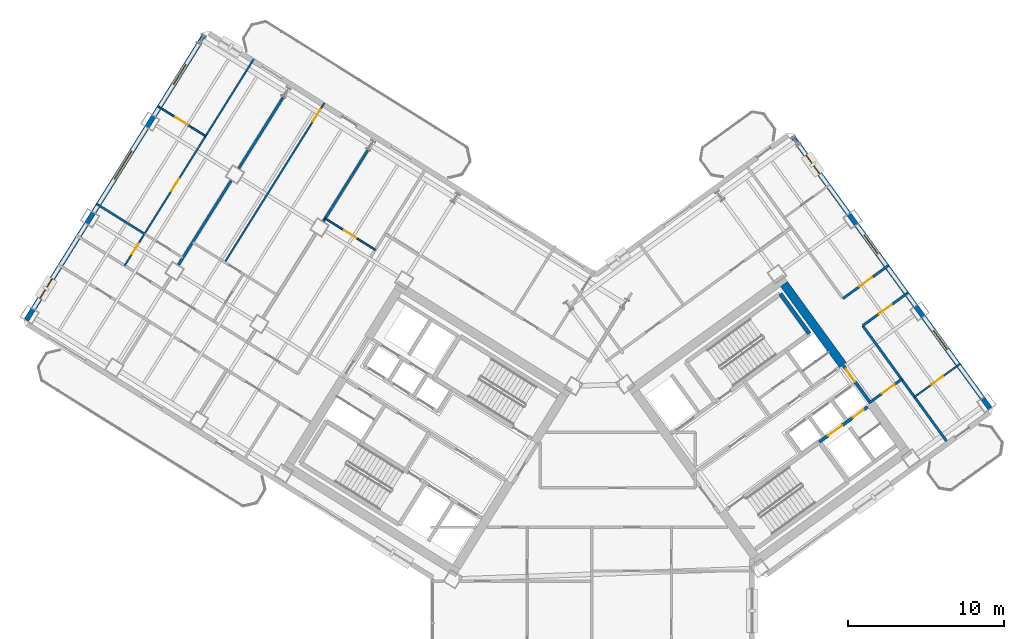
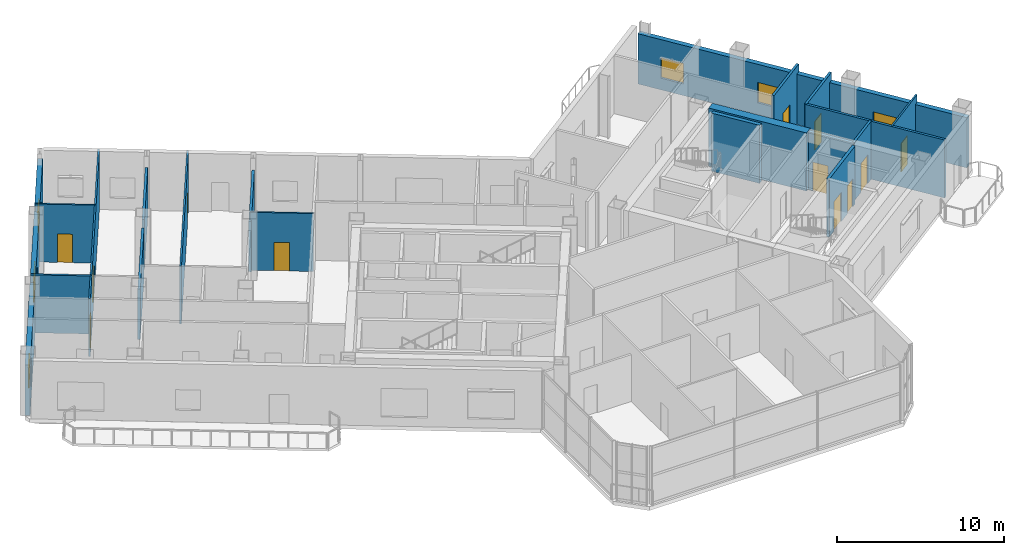
# One storey, part 15 of 21: 19 walls, 12 doors, 6 windows, 18 openings.
"""IFC4 building model written with IfcOpenShell, lengths in metres."""

from ifc_helpers import new_model, si_unit, direction, frame, frame_2d, origin, place, context, subcontext, project, spatial, rectangle, extrude, source, transform, mapped, material, layer, layer_set, type_object, element, fill, save


model = new_model("IFC4")

# Units and contexts
model_context = context("Model", 3, precision=1e-05, world=origin(), true_north=direction((0.0, 1.0)))
body_context = subcontext(model_context, "Body", "Model", "MODEL_VIEW")
ifc_project = project(units=[si_unit("LENGTHUNIT", "METRE"), si_unit("AREAUNIT", "SQUARE_METRE"), si_unit("VOLUMEUNIT", "CUBIC_METRE"), si_unit("PLANEANGLEUNIT", "RADIAN"), si_unit("MASSUNIT", "GRAM", prefix="KILO")], contexts=[model_context])

# Site, building, storey
site_placement = place(None, origin())
site = spatial("IfcSite", under=ifc_project, at=site_placement, CompositionType="ELEMENT")
building_placement = place(site_placement, origin())
building = spatial("IfcBuilding", under=site, at=building_placement, Name="Tlacorven Tower", CompositionType="ELEMENT")
storey_placement = place(building_placement, frame((0.0, 0.0, 100.800048828125)))
storey = spatial("IfcBuildingStorey", under=building, at=storey_placement, Name="L25", CompositionType="ELEMENT", Elevation=100.800048828125)

# Walls
ifc_material_1 = material(Name="Concrete C60/75", Category="concrete")
ifc_layer_1 = layer(ifc_material_1, 0.550048828125)
ifc_layer_set_1 = layer_set([ifc_layer_1], Name="Concrete C60/75")
wall_type_1 = type_object("IfcWallType", Name="WL-COR-550", PredefinedType="SHEAR", material=ifc_layer_set_1)
wall_1_placement = place(storey_placement, frame((58.06396484375, 25.8134765625, 0.0), z_axis=(0.0, 0.0, 1.0), x_axis=(-0.587764933797, 0.809031756236, 0.0)))
element("IfcWall", 1, at=wall_1_placement, inside=storey, type_object=wall_type_1, Name="L25 E core end wall E2.2", PredefinedType="SHEAR", context=body_context, shape_type="SweptSolid", body=[
    extrude(rectangle(XDim=6.425048828125, YDim=0.550048828125, at=frame_2d((3.21240234375, 0.0))), origin(), (0.0, 0.0, 1.0), 4.25),
])
ifc_material_2 = material(Name="Gypsum plasterboard acoustic partition", Category="gypsum")
ifc_layer_2 = layer(ifc_material_2, 0.159912109375)
ifc_layer_set_2 = layer_set([ifc_layer_2], Name="Gypsum plasterboard acoustic partition")
wall_type_2 = type_object("IfcWallType", Name="WL-DEM-160", PredefinedType="PARTITIONING", material=ifc_layer_set_2)
for number, where, z_axis, x_axis, name in (
    (2, (27.607421875, 39.614990234375, 0.0), (0.0, 0.0, 1.0), (-0.529913610495, -0.848051628978, 0.0), "L25 WS Demising Wall 1"),
    (3, (22.179931640625, 43.00634765625, 0.0), (0.0, 0.0, 1.0), (-0.529913610495, -0.848051628978, 0.0), "L25 WS Demising Wall 2"),
):
    element("IfcWall", number, at=place(storey_placement, frame(where, z_axis=z_axis, x_axis=x_axis)), inside=storey, type_object=wall_type_2, Name=name, PredefinedType="PARTITIONING", context=body_context, shape_type="SweptSolid", body=[
        extrude(rectangle(XDim=5.40087890625, YDim=0.159912109375, at=frame_2d((2.700439453125, 0.0))), origin(), (0.0, 0.0, 1.0), 3.675048828125),
    ])
wall_2_placement = place(storey_placement, frame((18.828125, 37.642578125, 0.0), z_axis=(0.0, 0.0, 1.0), x_axis=(-0.529930102756, -0.848041323399, 0.0)))
element("IfcWall", 4, at=wall_2_placement, inside=storey, type_object=wall_type_2, Name="L25 WS Demising Wall 2", PredefinedType="PARTITIONING", context=body_context, shape_type="SweptSolid", body=[
    extrude(rectangle(XDim=6.376220703125, YDim=0.159912109375, at=frame_2d((3.18798828125, 0.0))), origin(), (0.0, 0.0, 1.0), 3.675048828125),
])

# Wall, opening, door
wall_3_placement = place(storey_placement, frame((59.7978515625, 23.427001953125, 0.0), z_axis=(0.0, 0.0, 1.0), x_axis=(0.809034604122, 0.587761013791, 0.0)))
wall_3 = element("IfcWall", 5, at=wall_3_placement, inside=storey, type_object=wall_type_2, Name="L25 partition 89", PredefinedType="PARTITIONING", context=body_context, shape_type="SweptSolid", body=[
    extrude(rectangle(XDim=2.510009765625, YDim=0.159912109375, at=frame_2d((1.2548828125, 0.0))), origin(), (0.0, 0.0, 1.0), 4.239990234375),
])
opening_1_placement = place(wall_3_placement, frame((0.949951171875, 0.0, 0.0)))
opening_1 = element("IfcOpeningElement", 6, at=opening_1_placement, cuts=wall_3, Name="Opening D11", PredefinedType="OPENING", context=body_context, shape_type="SweptSolid", body=[
    extrude(rectangle(XDim=1.0, YDim=2.10009765625, at=frame_2d((0.5, 1.050048828125))), frame((0.0, 0.08984375, 0.0), z_axis=(0.0, -1.0, 0.0), x_axis=(1.0, 0.0, 0.0)), (0.0, 0.0, 1.0), 0.179931640625),
])
ifc_material_3 = material(Name="Fire-rated steel door assembly", Category="steel")
door_type_1 = type_object("IfcDoorType", Name="DR-FLT-FD60-1000", OperationType="NOTDEFINED", PredefinedType="DOOR", material=ifc_material_3)
shared_shape_1 = source(origin(), body_context, "Body", "SweptSolid", [
    extrude(rectangle(XDim=1.0, YDim=2.10009765625, at=frame_2d((0.5, 1.050048828125))), frame((0.0, 0.02490234375, 0.0), z_axis=(0.0, -1.0, 0.0), x_axis=(1.0, 0.0, 0.0)), (0.0, 0.0, 1.0), 0.050048828125),
])
door_1_placement = place(opening_1_placement, frame((1.0, 0.0, 0.0), z_axis=(0.0, 0.0, 1.0), x_axis=(-1.0, 0.0, 0.0)))
door_1 = element("IfcDoor", 7, at=door_1_placement, inside=storey, type_object=door_type_1, Name="L25 door 058", OperationType="SINGLE_SWING_RIGHT", OverallHeight=2.10009765625, OverallWidth=1.0, PredefinedType="DOOR", context=body_context, shape_type="MappedRepresentation", body=[
    mapped(shared_shape_1, transform((0.0, 0.0, 0.0), scale=1.0)),
])
fill(opening_1, door_1)

# Wall
wall_4_placement = place(storey_placement, frame((64.708740234375, 20.93798828125, 0.0), z_axis=(0.0, 0.0, 1.0), x_axis=(-0.587776590479, 0.80902328748, 0.0)))
element("IfcWall", 8, at=wall_4_placement, inside=storey, type_object=wall_type_2, Name="L25 partition 91", PredefinedType="PARTITIONING", context=body_context, shape_type="SweptSolid", body=[
    extrude(rectangle(XDim=9.150146484375, YDim=0.159912109375, at=frame_2d((4.5751953125, 0.0))), origin(), (0.0, 0.0, 1.0), 4.239990234375),
])

# Wall, opening, door
wall_5_placement = place(storey_placement, frame((59.33056640625, 28.340576171875, 0.0), z_axis=(0.0, 0.0, 1.0), x_axis=(0.809003564202, 0.587803736896, 0.0)))
wall_5 = element("IfcWall", 9, at=wall_5_placement, inside=storey, type_object=wall_type_2, Name="L25 partition 94", PredefinedType="PARTITIONING", context=body_context, shape_type="SweptSolid", body=[
    extrude(rectangle(XDim=3.630126953125, YDim=0.159912109375, at=frame_2d((1.81494140625, 0.0))), origin(), (0.0, 0.0, 1.0), 4.239990234375),
])
opening_2_placement = place(wall_5_placement, frame((1.304931640625, 0.0, 0.0)))
opening_2 = element("IfcOpeningElement", 10, at=opening_2_placement, cuts=wall_5, Name="Opening D11", PredefinedType="OPENING", context=body_context, shape_type="SweptSolid", body=[
    extrude(rectangle(XDim=1.0, YDim=2.10009765625, at=frame_2d((0.5, 1.050048828125))), frame((0.0, 0.08984375, 0.0), z_axis=(0.0, -1.0, 0.0), x_axis=(1.0, 0.0, 0.0)), (0.0, 0.0, 1.0), 0.179931640625),
])
door_2_placement = place(opening_2_placement, origin())
door_2 = element("IfcDoor", 11, at=door_2_placement, inside=storey, type_object=door_type_1, Name="L25 door 062", OperationType="SINGLE_SWING_RIGHT", OverallHeight=2.10009765625, OverallWidth=1.0, PredefinedType="DOOR", context=body_context, shape_type="MappedRepresentation", body=[
    mapped(shared_shape_1, transform((0.0, 0.0, 0.0), scale=1.0)),
])
fill(opening_2, door_2)

wall_6_placement = place(storey_placement, frame((58.06689453125, 30.080078125, 0.0), z_axis=(0.0, 0.0, 1.0), x_axis=(0.809012309495, 0.587791700422, 0.0)))
wall_6 = element("IfcWall", 12, at=wall_6_placement, inside=storey, type_object=wall_type_2, Name="L25 partition 95", PredefinedType="PARTITIONING", context=body_context, shape_type="SweptSolid", body=[
    extrude(rectangle(XDim=3.6298828125, YDim=0.159912109375, at=frame_2d((1.81494140625, 0.0))), origin(), (0.0, 0.0, 1.0), 4.239990234375),
])
opening_3_placement = place(wall_6_placement, frame((1.304931640625, 0.0, 0.0)))
opening_3 = element("IfcOpeningElement", 13, at=opening_3_placement, cuts=wall_6, Name="Opening D11", PredefinedType="OPENING", context=body_context, shape_type="SweptSolid", body=[
    extrude(rectangle(XDim=1.0, YDim=2.10009765625, at=frame_2d((0.5, 1.050048828125))), frame((0.0, 0.08984375, 0.0), z_axis=(0.0, -1.0, 0.0), x_axis=(1.0, 0.0, 0.0)), (0.0, 0.0, 1.0), 0.179931640625),
])
door_3_placement = place(opening_3_placement, origin())
door_3 = element("IfcDoor", 14, at=door_3_placement, inside=storey, type_object=door_type_1, Name="L25 door 060", OperationType="SINGLE_SWING_RIGHT", OverallHeight=2.10009765625, OverallWidth=1.0, PredefinedType="DOOR", context=body_context, shape_type="MappedRepresentation", body=[
    mapped(shared_shape_1, transform((0.0, 0.0, 0.0), scale=1.0)),
])
fill(opening_3, door_3)

# Wall, openings, windows
ifc_material_4 = material(Name="Precast concrete C45/55", Category="concrete")
ifc_layer_3 = layer(ifc_material_4, 0.320068359375)
ifc_layer_set_3 = layer_set([ifc_layer_3], Name="Precast concrete C45/55")
wall_type_3 = type_object("IfcWallType", Name="WL-EXT-320", PredefinedType="STANDARD", material=ifc_layer_set_3)
wall_7_placement = place(storey_placement, frame((5.699951171875, 28.71044921875, 0.0), z_axis=(0.0, 0.0, 1.0), x_axis=(0.529923711467, 0.8480453172, 0.0)))
wall_7 = element("IfcWall", 15, at=wall_7_placement, inside=storey, type_object=wall_type_3, Name="L25 Masonry-Frame Recessed Facade Wall 2", PredefinedType="STANDARD", context=body_context, shape_type="SweptSolid", body=[
    extrude(rectangle(XDim=21.58740234375, YDim=0.320068359375, at=frame_2d((10.793701171875, 0.0))), origin(), (0.0, 0.0, 1.0), 3.675048828125),
])
opening_4_placement = place(wall_7_placement, frame((1.628662109375, 0.0, 0.85009765625)))
opening_4 = element("IfcOpeningElement", 16, at=opening_4_placement, cuts=wall_7, Name="Opening WN02", PredefinedType="OPENING", context=body_context, shape_type="SweptSolid", body=[
    extrude(rectangle(XDim=1.5, YDim=1.5, at=frame_2d((0.75, 0.75))), frame((0.0, 0.169921875, 0.0), z_axis=(0.0, -1.0, 0.0), x_axis=(1.0, 0.0, 0.0)), (0.0, 0.0, 1.0), 0.340087890625),
])
opening_5_placement = place(wall_7_placement, frame((10.65380859375, 0.0, 0.800048828125)))
opening_5 = element("IfcOpeningElement", 17, at=opening_5_placement, cuts=wall_7, Name="Opening WN04", PredefinedType="OPENING", context=body_context, shape_type="SweptSolid", body=[
    extrude(rectangle(XDim=2.10009765625, YDim=1.550048828125, at=frame_2d((1.050048828125, 0.77490234375))), frame((0.0, 0.169921875, 0.0), z_axis=(0.0, -1.0, 0.0), x_axis=(1.0, 0.0, 0.0)), (0.0, 0.0, 1.0), 0.340087890625),
])
opening_6_placement = place(wall_7_placement, frame((17.80322265625, 0.0, 0.85009765625)))
opening_6 = element("IfcOpeningElement", 18, at=opening_6_placement, cuts=wall_7, Name="Opening WN02", PredefinedType="OPENING", context=body_context, shape_type="SweptSolid", body=[
    extrude(rectangle(XDim=1.5, YDim=1.5, at=frame_2d((0.75, 0.75))), frame((0.0, 0.169921875, 0.0), z_axis=(0.0, -1.0, 0.0), x_axis=(1.0, 0.0, 0.0)), (0.0, 0.0, 1.0), 0.340087890625),
])
ifc_material_5 = material(Name="Dark solar low-E double glazing in anodised aluminium frame", Category="aluminium")
window_type_1 = type_object("IfcWindowType", Name="WN-APT-2100X1750", PartitioningType="SINGLE_PANEL", PredefinedType="WINDOW", material=ifc_material_5)
shared_shape_2 = source(origin(), body_context, "Body", "SweptSolid", [
    extrude(rectangle(XDim=2.10009765625, YDim=1.550048828125, at=frame_2d((1.050048828125, 0.77490234375))), frame((0.0, 0.030029296875, 0.0), z_axis=(0.0, -1.0, 0.0), x_axis=(1.0, 0.0, 0.0)), (0.0, 0.0, 1.0), 0.06005859375),
])
window_1_placement = place(opening_5_placement, origin())
window_1 = element("IfcWindow", 19, at=window_1_placement, inside=storey, type_object=window_type_1, Name="L25 Recessed Masonry-Frame Window L25-02.2", OverallHeight=1.550048828125, OverallWidth=2.10009765625, PartitioningType="SINGLE_PANEL", PredefinedType="WINDOW", context=body_context, shape_type="MappedRepresentation", body=[
    mapped(shared_shape_2, transform((0.0, 0.0, 0.0), scale=1.0)),
])
fill(opening_5, window_1)
window_type_2 = type_object("IfcWindowType", Name="WN-APT-1500X1650", PartitioningType="SINGLE_PANEL", PredefinedType="WINDOW", material=ifc_material_5)
shared_shape_3 = source(origin(), body_context, "Body", "SweptSolid", [
    extrude(rectangle(XDim=1.5, YDim=1.5, at=frame_2d((0.75, 0.75))), frame((0.0, 0.030029296875, 0.0), z_axis=(0.0, -1.0, 0.0), x_axis=(1.0, 0.0, 0.0)), (0.0, 0.0, 1.0), 0.06005859375),
])
window_2_placement = place(opening_4_placement, origin())
window_2 = element("IfcWindow", 20, at=window_2_placement, inside=storey, type_object=window_type_2, Name="L25 Recessed Masonry-Frame Window L25-02.1", OverallHeight=1.5, OverallWidth=1.5, PartitioningType="SINGLE_PANEL", PredefinedType="WINDOW", context=body_context, shape_type="MappedRepresentation", body=[
    mapped(shared_shape_3, transform((0.0, 0.0, 0.0), scale=1.0)),
])
fill(opening_4, window_2)
window_3_placement = place(opening_6_placement, origin())
window_3 = element("IfcWindow", 21, at=window_3_placement, inside=storey, type_object=window_type_2, Name="L25 Recessed Masonry-Frame Window L25-02.3", OverallHeight=1.5, OverallWidth=1.5, PartitioningType="SINGLE_PANEL", PredefinedType="WINDOW", context=body_context, shape_type="MappedRepresentation", body=[
    mapped(shared_shape_3, transform((0.0, 0.0, 0.0), scale=1.0)),
])
fill(opening_6, window_3)

wall_8_placement = place(storey_placement, frame((54.810302734375, 40.49951171875, 0.0), z_axis=(0.0, 0.0, 1.0), x_axis=(0.587783625747, -0.809018176127, 0.0)))
wall_8 = element("IfcWall", 22, at=wall_8_placement, inside=storey, type_object=wall_type_3, Name="L25 Masonry-Frame Recessed Facade Wall 5", PredefinedType="STANDARD", context=body_context, shape_type="SweptSolid", body=[
    extrude(rectangle(XDim=21.58740234375, YDim=0.320068359375, at=frame_2d((10.793701171875, 0.0))), origin(), (0.0, 0.0, 1.0), 3.675048828125),
])
opening_7_placement = place(wall_8_placement, frame((1.502685546875, 0.0, 0.85009765625)))
opening_7 = element("IfcOpeningElement", 23, at=opening_7_placement, cuts=wall_8, Name="Opening WN02", PredefinedType="OPENING", context=body_context, shape_type="SweptSolid", body=[
    extrude(rectangle(XDim=1.5, YDim=1.5, at=frame_2d((0.75, 0.75))), frame((0.0, 0.169921875, 0.0), z_axis=(0.0, -1.0, 0.0), x_axis=(1.0, 0.0, 0.0)), (0.0, 0.0, 1.0), 0.340087890625),
])
opening_8_placement = place(wall_8_placement, frame((7.853759765625, 0.0, 0.85009765625)))
opening_8 = element("IfcOpeningElement", 24, at=opening_8_placement, cuts=wall_8, Name="Opening WN02", PredefinedType="OPENING", context=body_context, shape_type="SweptSolid", body=[
    extrude(rectangle(XDim=1.5, YDim=1.5, at=frame_2d((0.75, 0.75))), frame((0.0, 0.169921875, 0.0), z_axis=(0.0, -1.0, 0.0), x_axis=(1.0, 0.0, 0.0)), (0.0, 0.0, 1.0), 0.340087890625),
])
opening_9_placement = place(wall_8_placement, frame((15.417236328125, 0.0, 0.85009765625)))
opening_9 = element("IfcOpeningElement", 25, at=opening_9_placement, cuts=wall_8, Name="Opening WN02", PredefinedType="OPENING", context=body_context, shape_type="SweptSolid", body=[
    extrude(rectangle(XDim=1.5, YDim=1.5, at=frame_2d((0.75, 0.75))), frame((0.0, 0.169921875, 0.0), z_axis=(0.0, -1.0, 0.0), x_axis=(1.0, 0.0, 0.0)), (0.0, 0.0, 1.0), 0.340087890625),
])
window_4_placement = place(opening_7_placement, origin())
window_4 = element("IfcWindow", 26, at=window_4_placement, inside=storey, type_object=window_type_2, Name="L25 Recessed Masonry-Frame Window L25-05.1", OverallHeight=1.5, OverallWidth=1.5, PartitioningType="SINGLE_PANEL", PredefinedType="WINDOW", context=body_context, shape_type="MappedRepresentation", body=[
    mapped(shared_shape_3, transform((0.0, 0.0, 0.0), scale=1.0)),
])
fill(opening_7, window_4)
window_5_placement = place(opening_8_placement, origin())
window_5 = element("IfcWindow", 27, at=window_5_placement, inside=storey, type_object=window_type_2, Name="L25 Recessed Masonry-Frame Window L25-05.2", OverallHeight=1.5, OverallWidth=1.5, PartitioningType="SINGLE_PANEL", PredefinedType="WINDOW", context=body_context, shape_type="MappedRepresentation", body=[
    mapped(shared_shape_3, transform((0.0, 0.0, 0.0), scale=1.0)),
])
fill(opening_8, window_5)
window_6_placement = place(opening_9_placement, origin())
window_6 = element("IfcWindow", 28, at=window_6_placement, inside=storey, type_object=window_type_2, Name="L25 Recessed Masonry-Frame Window L25-05.3", OverallHeight=1.5, OverallWidth=1.5, PartitioningType="SINGLE_PANEL", PredefinedType="WINDOW", context=body_context, shape_type="MappedRepresentation", body=[
    mapped(shared_shape_3, transform((0.0, 0.0, 0.0), scale=1.0)),
])
fill(opening_9, window_6)

# Wall, opening, door
ifc_material_6 = material(Name="Gypsum plasterboard partition", Category="gypsum")
ifc_layer_4 = layer(ifc_material_6, 0.110107421875)
ifc_layer_set_4 = layer_set([ifc_layer_4], Name="Gypsum plasterboard partition")
wall_type_4 = type_object("IfcWallType", Name="WL-INT-110", PredefinedType="PARTITIONING", material=ifc_layer_set_4)
wall_9_placement = place(storey_placement, frame((28.070556640625, 33.204345703125, 0.0), z_axis=(0.0, 0.0, 1.0), x_axis=(-0.848059820872, 0.529900500304, 0.0)))
wall_9 = element("IfcWall", 29, at=wall_9_placement, inside=storey, type_object=wall_type_4, Name="L25 partition 57", PredefinedType="PARTITIONING", context=body_context, shape_type="SweptSolid", body=[
    extrude(rectangle(XDim=3.7900390625, YDim=0.110107421875, at=frame_2d((1.89501953125, 0.0))), origin(), (0.0, 0.0, 1.0), 4.239990234375),
])
opening_10_placement = place(wall_9_placement, frame((1.43505859375, 0.0, 0.0)))
opening_10 = element("IfcOpeningElement", 30, at=opening_10_placement, cuts=wall_9, Name="Opening D12", PredefinedType="OPENING", context=body_context, shape_type="SweptSolid", body=[
    extrude(rectangle(XDim=0.919921875, YDim=2.080078125, at=frame_2d((0.4599609375, 1.0400390625))), frame((0.0, 0.06494140625, 0.0), z_axis=(0.0, -1.0, 0.0), x_axis=(1.0, 0.0, 0.0)), (0.0, 0.0, 1.0), 0.130126953125),
])
ifc_material_7 = material(Name="Powder-coated aluminium and timber door", Category="wood")
door_type_2 = type_object("IfcDoorType", Name="DR-INT-ROOM-0920", OperationType="NOTDEFINED", PredefinedType="DOOR", material=ifc_material_7)
shared_shape_4 = source(origin(), body_context, "Body", "SweptSolid", [
    extrude(rectangle(XDim=0.919921875, YDim=2.080078125, at=frame_2d((0.4599609375, 1.0400390625))), frame((0.0, 0.02490234375, 0.0), z_axis=(0.0, -1.0, 0.0), x_axis=(1.0, 0.0, 0.0)), (0.0, 0.0, 1.0), 0.050048828125),
])
door_4_placement = place(opening_10_placement, origin())
door_4 = element("IfcDoor", 31, at=door_4_placement, inside=storey, type_object=door_type_2, Name="L25 door 031", OperationType="SINGLE_SWING_RIGHT", OverallHeight=2.080078125, OverallWidth=0.919921875, PredefinedType="DOOR", context=body_context, shape_type="MappedRepresentation", body=[
    mapped(shared_shape_4, transform((0.0, 0.0, 0.0), scale=1.0)),
])
fill(opening_10, door_4)

wall_10_placement = place(storey_placement, frame((24.802490234375, 42.614013671875, 0.0), z_axis=(0.0, 0.0, 1.0), x_axis=(-0.529929676091, -0.848041590017, 0.0)))
wall_10 = element("IfcWall", 32, at=wall_10_placement, inside=storey, type_object=wall_type_4, Name="L25 partition 61", PredefinedType="PARTITIONING", context=body_context, shape_type="SweptSolid", body=[
    extrude(rectangle(XDim=12.0400390625, YDim=0.110107421875, at=frame_2d((6.02001953125, 0.0))), origin(), (0.0, 0.0, 1.0), 4.239990234375),
])
opening_11_placement = place(wall_10_placement, frame((0.469970703125, 0.0, 0.0)))
opening_11 = element("IfcOpeningElement", 33, at=opening_11_placement, cuts=wall_10, Name="Opening D12", PredefinedType="OPENING", context=body_context, shape_type="SweptSolid", body=[
    extrude(rectangle(XDim=0.919921875, YDim=2.080078125, at=frame_2d((0.4599609375, 1.0400390625))), frame((0.0, 0.06494140625, 0.0), z_axis=(0.0, -1.0, 0.0), x_axis=(1.0, 0.0, 0.0)), (0.0, 0.0, 1.0), 0.130126953125),
])
door_5_placement = place(opening_11_placement, origin())
door_5 = element("IfcDoor", 34, at=door_5_placement, inside=storey, type_object=door_type_2, Name="L25 door 032", OperationType="SINGLE_SWING_LEFT", OverallHeight=2.080078125, OverallWidth=0.919921875, PredefinedType="DOOR", context=body_context, shape_type="MappedRepresentation", body=[
    mapped(shared_shape_4, transform((0.0, 0.0, 0.0), scale=1.0)),
])
fill(opening_11, door_5)

# Wall, openings, doors
wall_11_placement = place(storey_placement, frame((20.280517578125, 45.439697265625, 0.0), z_axis=(0.0, 0.0, 1.0), x_axis=(-0.529917451133, -0.848049229105, 0.0)))
wall_11 = element("IfcWall", 35, at=wall_11_placement, inside=storey, type_object=wall_type_4, Name="L25 partition 62", PredefinedType="PARTITIONING", context=body_context, shape_type="SweptSolid", body=[
    extrude(rectangle(XDim=15.6201171875, YDim=0.110107421875, at=frame_2d((7.81005859375, 0.0))), origin(), (0.0, 0.0, 1.0), 4.239990234375),
])
opening_12_placement = place(wall_11_placement, frame((13.97998046875, 0.0, 0.0)))
opening_12 = element("IfcOpeningElement", 36, at=opening_12_placement, cuts=wall_11, Name="Opening D22", PredefinedType="OPENING", context=body_context, shape_type="SweptSolid", body=[
    extrude(rectangle(XDim=0.780029296875, YDim=2.050048828125, at=frame_2d((0.39013671875, 1.02490234375))), frame((0.0, 0.06494140625, 0.0), z_axis=(0.0, -1.0, 0.0), x_axis=(1.0, 0.0, 0.0)), (0.0, 0.0, 1.0), 0.130126953125),
])
opening_13_placement = place(wall_11_placement, frame((9.055419921875, 0.0, 0.0)))
opening_13 = element("IfcOpeningElement", 37, at=opening_13_placement, cuts=wall_11, Name="Opening D12", PredefinedType="OPENING", context=body_context, shape_type="SweptSolid", body=[
    extrude(rectangle(XDim=0.919921875, YDim=2.080078125, at=frame_2d((0.4599609375, 1.0400390625))), frame((0.0, 0.06494140625, 0.0), z_axis=(0.0, -1.0, 0.0), x_axis=(1.0, 0.0, 0.0)), (0.0, 0.0, 1.0), 0.130126953125),
])
door_type_3 = type_object("IfcDoorType", Name="DR-INT-WET-0780", OperationType="NOTDEFINED", PredefinedType="DOOR", material=ifc_material_7)
shared_shape_5 = source(origin(), body_context, "Body", "SweptSolid", [
    extrude(rectangle(XDim=0.780029296875, YDim=2.050048828125, at=frame_2d((0.39013671875, 1.02490234375))), frame((0.0, 0.02490234375, 0.0), z_axis=(0.0, -1.0, 0.0), x_axis=(1.0, 0.0, 0.0)), (0.0, 0.0, 1.0), 0.050048828125),
])
door_6_placement = place(opening_12_placement, origin())
door_6 = element("IfcDoor", 38, at=door_6_placement, inside=storey, type_object=door_type_3, Name="L25 door 039", OperationType="SINGLE_SWING_RIGHT", OverallHeight=2.050048828125, OverallWidth=0.780029296875, PredefinedType="DOOR", context=body_context, shape_type="MappedRepresentation", body=[
    mapped(shared_shape_5, transform((0.0, 0.0, 0.0), scale=1.0)),
])
fill(opening_12, door_6)
door_7_placement = place(opening_13_placement, origin())
door_7 = element("IfcDoor", 39, at=door_7_placement, inside=storey, type_object=door_type_2, Name="L25 door 040", OperationType="SINGLE_SWING_LEFT", OverallHeight=2.080078125, OverallWidth=0.919921875, PredefinedType="DOOR", context=body_context, shape_type="MappedRepresentation", body=[
    mapped(shared_shape_4, transform((0.0, 0.0, 0.0), scale=1.0)),
])
fill(opening_13, door_7)

# Wall, opening, door
wall_12_placement = place(storey_placement, frame((17.190673828125, 40.49462890625, 0.0), z_axis=(0.0, 0.0, 1.0), x_axis=(-0.848051346257, 0.52991406295, 0.0)))
wall_12 = element("IfcWall", 40, at=wall_12_placement, inside=storey, type_object=wall_type_4, Name="L25 partition 66", PredefinedType="PARTITIONING", context=body_context, shape_type="SweptSolid", body=[
    extrude(rectangle(XDim=3.619873046875, YDim=0.110107421875, at=frame_2d((1.81005859375, 0.0))), origin(), (0.0, 0.0, 1.0), 4.239990234375),
])
opening_14_placement = place(wall_12_placement, frame((1.35009765625, 0.0, 0.0)))
opening_14 = element("IfcOpeningElement", 41, at=opening_14_placement, cuts=wall_12, Name="Opening D12", PredefinedType="OPENING", context=body_context, shape_type="SweptSolid", body=[
    extrude(rectangle(XDim=0.919921875, YDim=2.080078125, at=frame_2d((0.4599609375, 1.0400390625))), frame((0.0, 0.06494140625, 0.0), z_axis=(0.0, -1.0, 0.0), x_axis=(1.0, 0.0, 0.0)), (0.0, 0.0, 1.0), 0.130126953125),
])
door_8_placement = place(opening_14_placement, origin())
door_8 = element("IfcDoor", 42, at=door_8_placement, inside=storey, type_object=door_type_2, Name="L25 door 041", OperationType="SINGLE_SWING_RIGHT", OverallHeight=2.080078125, OverallWidth=0.919921875, PredefinedType="DOOR", context=body_context, shape_type="MappedRepresentation", body=[
    mapped(shared_shape_4, transform((0.0, 0.0, 0.0), scale=1.0)),
])
fill(opening_14, door_8)

wall_13_placement = place(storey_placement, frame((62.652587890625, 23.76806640625, 0.0), z_axis=(0.0, 0.0, 1.0), x_axis=(0.809037198293, 0.58775744298, 0.0)))
wall_13 = element("IfcWall", 43, at=wall_13_placement, inside=storey, type_object=wall_type_4, Name="L25 partition 97", PredefinedType="PARTITIONING", context=body_context, shape_type="SweptSolid", body=[
    extrude(rectangle(XDim=3.610107421875, YDim=0.110107421875, at=frame_2d((1.80517578125, 0.0))), origin(), (0.0, 0.0, 1.0), 4.239990234375),
])
opening_15_placement = place(wall_13_placement, frame((1.344970703125, 0.0, 0.0)))
opening_15 = element("IfcOpeningElement", 44, at=opening_15_placement, cuts=wall_13, Name="Opening D12", PredefinedType="OPENING", context=body_context, shape_type="SweptSolid", body=[
    extrude(rectangle(XDim=0.919921875, YDim=2.080078125, at=frame_2d((0.4599609375, 1.0400390625))), frame((0.0, 0.06494140625, 0.0), z_axis=(0.0, -1.0, 0.0), x_axis=(1.0, 0.0, 0.0)), (0.0, 0.0, 1.0), 0.130126953125),
])
door_9_placement = place(opening_15_placement, origin())
door_9 = element("IfcDoor", 45, at=door_9_placement, inside=storey, type_object=door_type_2, Name="L25 door 063", OperationType="SINGLE_SWING_LEFT", OverallHeight=2.080078125, OverallWidth=0.919921875, PredefinedType="DOOR", context=body_context, shape_type="MappedRepresentation", body=[
    mapped(shared_shape_4, transform((0.0, 0.0, 0.0), scale=1.0)),
])
fill(opening_15, door_9)

# Wall
ifc_material_8 = material(Name="Moisture-resistant gypsum plumbing wall", Category="gypsum")
ifc_layer_5 = layer(ifc_material_8, 0.139892578125)
ifc_layer_set_5 = layer_set([ifc_layer_5], Name="Moisture-resistant gypsum plumbing wall")
wall_type_5 = type_object("IfcWallType", Name="WL-PLM-140", PredefinedType="PLUMBINGWALL", material=ifc_layer_set_5)
wall_14_placement = place(storey_placement, frame((13.275146484375, 34.228271484375, 0.0), z_axis=(0.0, 0.0, 1.0), x_axis=(-0.848039976902, 0.529932257535, 0.0)))
element("IfcWall", 46, at=wall_14_placement, inside=storey, type_object=wall_type_5, Name="L25 partition 65", PredefinedType="PLUMBINGWALL", context=body_context, shape_type="SweptSolid", body=[
    extrude(rectangle(XDim=3.6201171875, YDim=0.139892578125, at=frame_2d((1.81005859375, 0.0))), origin(), (0.0, 0.0, 1.0), 4.239990234375),
])

# Wall, openings, doors
ifc_material_9 = material(Name="Concrete C40/50", Category="concrete")
ifc_layer_6 = layer(ifc_material_9, 0.199951171875)
ifc_layer_set_6 = layer_set([ifc_layer_6], Name="Concrete C40/50")
wall_type_6 = type_object("IfcWallType", Name="WL-SHF-200", PredefinedType="STANDARD", material=ifc_layer_set_6)
wall_15_placement = place(storey_placement, frame((56.552978515625, 20.884033203125, 0.0), z_axis=(0.0, 0.0, 1.0), x_axis=(0.809023564264, 0.58777620951, 0.0)))
wall_15 = element("IfcWall", 47, at=wall_15_placement, inside=storey, type_object=wall_type_6, Name="L25 Core E South Lift Shaft Wall", PredefinedType="STANDARD", context=body_context, shape_type="SweptSolid", body=[
    extrude(rectangle(XDim=3.818115234375, YDim=0.199951171875, at=frame_2d((1.9091796875, 0.0))), origin(), (0.0, 0.0, 1.0), 4.239990234375),
])
opening_16_placement = place(wall_15_placement, frame((0.68994140625, 0.0, 0.0)))
opening_16 = element("IfcOpeningElement", 48, at=opening_16_placement, cuts=wall_15, Name="Opening LD01", PredefinedType="OPENING", context=body_context, shape_type="SweptSolid", body=[
    extrude(rectangle(XDim=1.10009765625, YDim=2.14990234375, at=frame_2d((0.550048828125, 1.074951171875))), frame((0.0, 0.10986328125, 0.0), z_axis=(0.0, -1.0, 0.0), x_axis=(1.0, 0.0, 0.0)), (0.0, 0.0, 1.0), 0.219970703125),
])
opening_17_placement = place(wall_15_placement, frame((2.64990234375, 0.0, 0.0)))
opening_17 = element("IfcOpeningElement", 49, at=opening_17_placement, cuts=wall_15, Name="Opening D19", PredefinedType="OPENING", context=body_context, shape_type="SweptSolid", body=[
    extrude(rectangle(XDim=0.860107421875, YDim=2.050048828125, at=frame_2d((0.43017578125, 1.02490234375))), frame((0.0, 0.10986328125, 0.0), z_axis=(0.0, -1.0, 0.0), x_axis=(1.0, 0.0, 0.0)), (0.0, 0.0, 1.0), 0.219970703125),
])
door_type_4 = type_object("IfcDoorType", Name="DR-RSR-FD60-0860", OperationType="NOTDEFINED", PredefinedType="DOOR", material=ifc_material_3)
shared_shape_6 = source(origin(), body_context, "Body", "SweptSolid", [
    extrude(rectangle(XDim=0.860107421875, YDim=2.050048828125, at=frame_2d((0.43017578125, 1.02490234375))), frame((0.0, 0.02490234375, 0.0), z_axis=(0.0, -1.0, 0.0), x_axis=(1.0, 0.0, 0.0)), (0.0, 0.0, 1.0), 0.050048828125),
])
door_10_placement = place(opening_17_placement, origin())
door_10 = element("IfcDoor", 50, at=door_10_placement, inside=storey, type_object=door_type_4, Name="L25 Smoke Extract Riser Access Door", OperationType="SINGLE_SWING_LEFT", OverallHeight=2.050048828125, OverallWidth=0.860107421875, PredefinedType="DOOR", context=body_context, shape_type="MappedRepresentation", body=[
    mapped(shared_shape_6, transform((0.0, 0.0, 0.0), scale=1.0)),
])
fill(opening_17, door_10)
door_type_5 = type_object("IfcDoorType", Name="DR-LFT-SLID-1100", OperationType="DOUBLE_DOOR_SLIDING", PredefinedType="DOOR", material=ifc_material_3)
shared_shape_7 = source(origin(), body_context, "Body", "SweptSolid", [
    extrude(rectangle(XDim=1.10009765625, YDim=2.14990234375, at=frame_2d((0.550048828125, 1.074951171875))), frame((0.0, 0.02490234375, 0.0), z_axis=(0.0, -1.0, 0.0), x_axis=(1.0, 0.0, 0.0)), (0.0, 0.0, 1.0), 0.050048828125),
])
door_11_placement = place(opening_16_placement, origin())
door_11 = element("IfcDoor", 51, at=door_11_placement, inside=storey, type_object=door_type_5, Name="L25 Lift PL-M4 Sliding Landing Door", OperationType="DOUBLE_DOOR_SLIDING", OverallHeight=2.14990234375, OverallWidth=1.10009765625, PredefinedType="DOOR", context=body_context, shape_type="MappedRepresentation", body=[
    mapped(shared_shape_7, transform((0.0, 0.0, 0.0), scale=1.0)),
])
fill(opening_16, door_11)

# Wall, opening, door
wall_16_placement = place(storey_placement, frame((59.827392578125, 23.386474609375, 0.0), z_axis=(0.0, 0.0, 1.0), x_axis=(-0.587803840107, 0.809003489211, 0.0)))
wall_16 = element("IfcWall", 52, at=wall_16_placement, inside=storey, type_object=wall_type_6, Name="L25 partition 88", PredefinedType="STANDARD", context=body_context, shape_type="SweptSolid", body=[
    extrude(rectangle(XDim=2.960205078125, YDim=0.199951171875, at=frame_2d((1.47998046875, 0.0))), origin(), (0.0, 0.0, 1.0), 4.239990234375),
])
opening_18_placement = place(wall_16_placement, frame((1.679931640625, 0.0, 0.0)))
opening_18 = element("IfcOpeningElement", 53, at=opening_18_placement, cuts=wall_16, Name="Opening D11", PredefinedType="OPENING", context=body_context, shape_type="SweptSolid", body=[
    extrude(rectangle(XDim=1.0, YDim=2.10009765625, at=frame_2d((0.5, 1.050048828125))), frame((0.0, 0.10986328125, 0.0), z_axis=(0.0, -1.0, 0.0), x_axis=(1.0, 0.0, 0.0)), (0.0, 0.0, 1.0), 0.219970703125),
])
door_12_placement = place(opening_18_placement, origin())
door_12 = element("IfcDoor", 54, at=door_12_placement, inside=storey, type_object=door_type_1, Name="L25 door 059", OperationType="SINGLE_SWING_LEFT", OverallHeight=2.10009765625, OverallWidth=1.0, PredefinedType="DOOR", context=body_context, shape_type="MappedRepresentation", body=[
    mapped(shared_shape_1, transform((0.0, 0.0, 0.0), scale=1.0)),
])
fill(opening_18, door_12)

# Wall
ifc_material_10 = material(Name="Concrete C50/60", Category="concrete")
ifc_layer_7 = layer(ifc_material_10, 0.260009765625)
ifc_layer_set_7 = layer_set([ifc_layer_7], Name="Concrete C50/60")
wall_type_7 = type_object("IfcWallType", Name="WL-STW-260", PredefinedType="SHEAR", material=ifc_layer_set_7)
wall_17_placement = place(storey_placement, frame((55.906494140625, 27.83056640625, 0.0), z_axis=(0.0, 0.0, 1.0), x_axis=(-0.587804123638, 0.809003283204, 0.0)))
element("IfcWall", 55, at=wall_17_placement, inside=storey, type_object=wall_type_7, Name="L25 Stair E1 East Shear Wall", PredefinedType="SHEAR", context=body_context, shape_type="SweptSolid", body=[
    extrude(rectangle(XDim=3.159912109375, YDim=0.260009765625, at=frame_2d((1.580078125, 0.0))), origin(), (0.0, 0.0, 1.0), 4.25),
])

save(model, "model.ifc")
